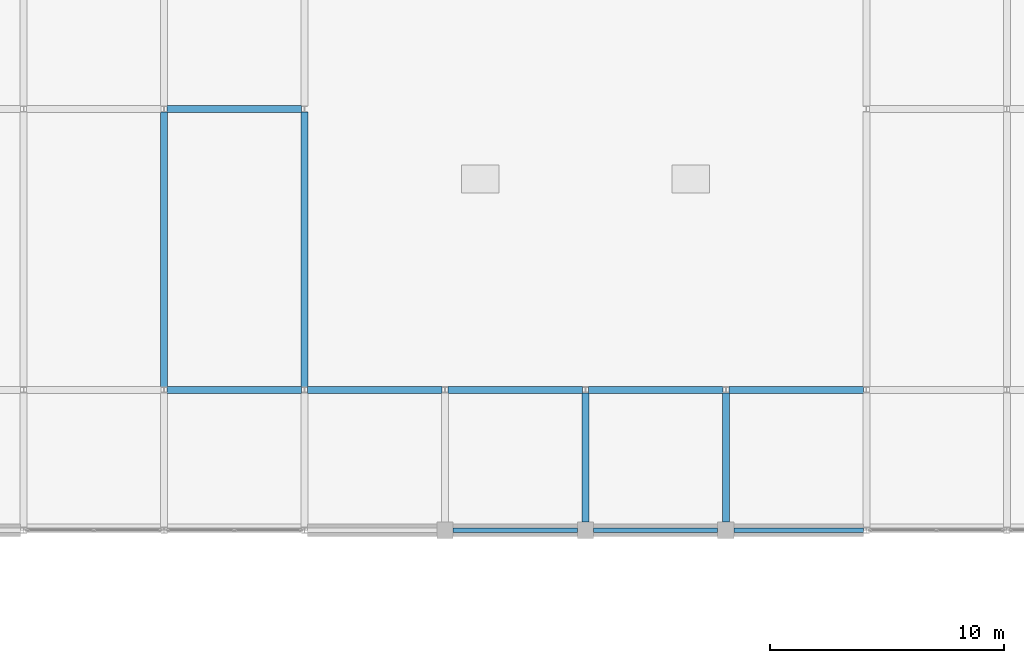
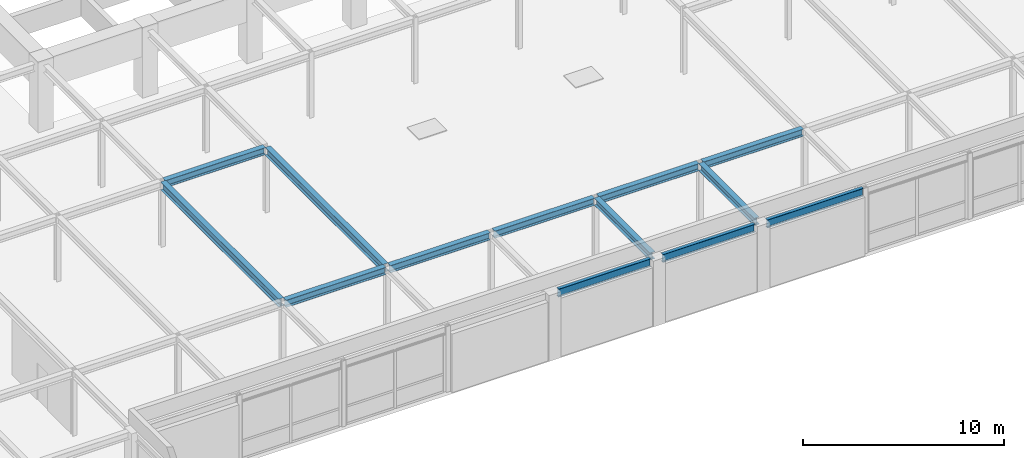
# One storey, part 56 of 111: 13 beams.
"""IFC4 building model written with IfcOpenShell, lengths in metres."""

import ifcopenshell
import ifcopenshell.guid

model = None  # the IFC model being written
_history = None  # IfcOwnerHistory: only IFC2X3 demands one
_inside = {}  # id of a spatial element -> (the spatial element, [elements in it])
_under = {}  # id of a project, library or spatial element -> (it, [spatial elements below it])
_declared = {}  # id of a project -> (the project, [libraries it declares])
_typed = {}  # id of a type object -> (the type object, [elements of that type])
_made_of = {}  # id of a material, layer set ... -> (it, [elements and type objects made of it])


def new_model(schema):
    """Start an empty IFC model of exactly this schema.

    Asked for "IFC4X3", IfcOpenShell would pick the latest addendum, in which some entities
    have other attributes; the version numbers below select the first issue.
    IFC2X3 requires an IfcOwnerHistory on every rooted entity: one is made here for all.
    """
    global model, _history
    if schema == "IFC4X3":
        model = ifcopenshell.file(schema_version=(4, 3, 0, 0))
    else:
        model = ifcopenshell.file(schema=schema)
    _inside.clear()
    _under.clear()
    _declared.clear()
    _typed.clear()
    _made_of.clear()
    _history = None
    if model.schema == "IFC2X3":
        org = make("IfcOrganization", Name="unknown")
        user = make(
            "IfcPersonAndOrganization",
            ThePerson=make("IfcPerson", FamilyName="unknown"),
            TheOrganization=org,
        )
        app = make(
            "IfcApplication",
            ApplicationDeveloper=org,
            Version="unknown",
            ApplicationFullName="unknown",
            ApplicationIdentifier="unknown",
        )
        _history = make(
            "IfcOwnerHistory",
            OwningUser=user,
            OwningApplication=app,
            ChangeAction="ADDED",
            CreationDate=0,
        )
    return model


def make(cls, **values):
    """One entity of the class cls with the attributes given. An attribute that is None is left unset."""
    return model.create_entity(
        cls, **{name: value for name, value in values.items() if value is not None}
    )


def rooted(cls, **values):
    """An entity with a GlobalId (a new one), such as an element, a storey or a relation."""
    return make(cls, GlobalId=ifcopenshell.guid.new(), OwnerHistory=_history, **values)


def si_unit(unit_type, name, prefix=None):
    """IfcSIUnit, for example si_unit("LENGTHUNIT", "METRE", prefix="MILLI")."""
    return make("IfcSIUnit", UnitType=unit_type, Prefix=prefix, Name=name)


def assignment(units):
    """IfcUnitAssignment: the units of a project."""
    return None if units is None else make("IfcUnitAssignment", Units=units)


def point(xyz):
    """IfcCartesianPoint."""
    return None if xyz is None else make("IfcCartesianPoint", Coordinates=xyz)


def direction(xyz):
    """IfcDirection."""
    return None if xyz is None else make("IfcDirection", DirectionRatios=xyz)


def frame(location, z_axis=None, x_axis=None):
    """IfcAxis2Placement3D, a coordinate frame: its origin and axes. An axis left out is left unset."""
    return make(
        "IfcAxis2Placement3D",
        Location=point(location),
        Axis=direction(z_axis),
        RefDirection=direction(x_axis),
    )


def frame_2d(location, x_axis=None):
    """IfcAxis2Placement2D, a coordinate frame in the plane: its origin and x axis."""
    return make(
        "IfcAxis2Placement2D", Location=point(location), RefDirection=direction(x_axis)
    )


def origin():
    """The frame at (0, 0, 0) with its axes left unset."""
    return frame((0.0, 0.0, 0.0))


def origin_2d():
    """The frame at (0, 0) in the plane with its x axis left unset."""
    return frame_2d((0.0, 0.0))


def place(relative_to, where):
    """IfcLocalPlacement: puts the frame where relative to a parent placement (None: the world)."""
    return make(
        "IfcLocalPlacement", PlacementRelTo=relative_to, RelativePlacement=where
    )


def context(
    kind, dimensions, precision=None, world=None, true_north=None, identifier=None
):
    """IfcGeometricRepresentationContext, for example the 3D "Model" context."""
    return make(
        "IfcGeometricRepresentationContext",
        ContextIdentifier=identifier,
        ContextType=kind,
        CoordinateSpaceDimension=dimensions,
        Precision=precision,
        WorldCoordinateSystem=world,
        TrueNorth=true_north,
    )


def subcontext(parent, identifier, kind, view, scale=None):
    """IfcGeometricRepresentationSubContext, for example "Body" below "Model"."""
    return make(
        "IfcGeometricRepresentationSubContext",
        ContextIdentifier=identifier,
        ContextType=kind,
        ParentContext=parent,
        TargetScale=scale,
        TargetView=view,
    )


def project(units=None, contexts=None):
    """IfcProject with its units and contexts."""
    return rooted(
        "IfcProject",
        Name="project",
        RepresentationContexts=contexts,
        UnitsInContext=assignment(units),
    )


def spatial(cls, under=None, at=None, **own):
    """A site, building, storey or space (cls), placed at a placement, below another one or the project."""
    s = rooted(cls, ObjectPlacement=at, **own)
    if under is not None:
        _under.setdefault(under.id(), (under, []))[1].append(s)
    return s


def profile(cls, at=None, kind="AREA", **sizes):
    """A parametric profile (cls). Its sizes go by their IFC names, for example OverallWidth=200.0."""
    return make(cls, ProfileType=kind, Position=at, **sizes)


def i_section(**sizes):
    """IfcIShapeProfileDef."""
    return profile("IfcIShapeProfileDef", **sizes)


def extrude(swept, where, along, depth):
    """IfcExtrudedAreaSolid: the profile swept, set in the frame where, extruded along a direction by depth."""
    return make(
        "IfcExtrudedAreaSolid",
        SweptArea=swept,
        Position=where,
        ExtrudedDirection=direction(along),
        Depth=depth,
    )


def shape(context_of_items, identifier, shape_type, items):
    """IfcShapeRepresentation: the items that make up one representation, for example the "Body"."""
    return make(
        "IfcShapeRepresentation",
        ContextOfItems=context_of_items,
        RepresentationIdentifier=identifier,
        RepresentationType=shape_type,
        Items=items,
    )


def material(Name=None, Category=None):
    """IfcMaterial."""
    return make("IfcMaterial", Name=Name, Category=Category)


def material_profile(
    of_material, cross_section, Name=None, Category=None, Priority=None
):
    """IfcMaterialProfile: a cross section and its material."""
    return make(
        "IfcMaterialProfile",
        Name=Name,
        Material=of_material,
        Profile=cross_section,
        Priority=Priority,
        Category=Category,
    )


def profile_set(profiles, Name=None, composite=None):
    """IfcMaterialProfileSet."""
    return make(
        "IfcMaterialProfileSet",
        Name=Name,
        MaterialProfiles=profiles,
        CompositeProfile=composite,
    )


def made_of(thing, what):
    """Note that an element or type object is made of a material, layer set ...; save() writes the relation."""
    if what is not None:
        _made_of.setdefault(what.id(), (what, []))[1].append(thing)
    return thing


def type_object(cls, material=None, **own):
    """A type object (cls), such as IfcWallType, which elements share."""
    return made_of(rooted(cls, **own), material)


def element(
    cls,
    number,
    at=None,
    inside=None,
    cuts=None,
    type_object=None,
    material=None,
    context=None,
    identifier="Body",
    shape_type=None,
    held_by="IfcProductDefinitionShape",
    body=None,
    shapes=None,
    **own,
):
    """One element of the class cls, such as IfcWall. Its Tag is "e" and its number.

    at: its placement. inside: the storey or other place that contains it. cuts: it is an
    opening in that element (IfcRelVoidsElement). A single representation is given by context,
    identifier, shape_type and body (its items); several are given by shapes. held_by: the class
    of the entity that holds the representations. save() writes the other relations.
    """
    e = rooted(cls, Tag="e%d" % number, ObjectPlacement=at, **own)
    if body is not None:
        shapes = [shape(context, identifier, shape_type, body)]
    if shapes is not None:
        e.Representation = make(held_by, Representations=shapes)
    if inside is not None:
        _inside.setdefault(inside.id(), (inside, []))[1].append(e)
    if cuts is not None:
        rooted(
            "IfcRelVoidsElement", RelatingBuildingElement=cuts, RelatedOpeningElement=e
        )
    if type_object is not None:
        _typed.setdefault(type_object.id(), (type_object, []))[1].append(e)
    return made_of(e, material)


def aggregate(whole, parts):
    """IfcRelAggregates: a whole, such as a stair, and the parts it consists of."""
    return rooted("IfcRelAggregates", RelatingObject=whole, RelatedObjects=parts)


def save(model, path):
    """Write the relations noted so far, then the file.

    IfcRelAggregates (storeys below a building ...), IfcRelContainedInSpatialStructure (elements
    in a storey), IfcRelDefinesByType, IfcRelAssociatesMaterial and IfcRelDeclares: one each for
    every whole, place, type object, material and project.
    """
    for whole, parts in _under.values():
        aggregate(whole, parts)
    for where, things in _inside.values():
        rooted(
            "IfcRelContainedInSpatialStructure",
            RelatedElements=things,
            RelatingStructure=where,
        )
    for kind, things in _typed.values():
        rooted("IfcRelDefinesByType", RelatedObjects=things, RelatingType=kind)
    for what, things in _made_of.values():
        rooted("IfcRelAssociatesMaterial", RelatedObjects=things, RelatingMaterial=what)
    for by, libraries in _declared.values():
        rooted("IfcRelDeclares", RelatingContext=by, RelatedDefinitions=libraries)
    model.write(path)


model = new_model("IFC4")

# Units and contexts
model_context = context("Model", 3, precision=1e-05, world=origin(), true_north=direction((0.0, 1.0)))
body_context = subcontext(model_context, "Body", "Model", "MODEL_VIEW")
ifc_project = project(units=[si_unit("LENGTHUNIT", "METRE"), si_unit("AREAUNIT", "SQUARE_METRE"), si_unit("VOLUMEUNIT", "CUBIC_METRE"), si_unit("PLANEANGLEUNIT", "RADIAN"), si_unit("MASSUNIT", "GRAM", prefix="KILO")], contexts=[model_context])

# Site, building, storey
site_placement = place(None, origin())
site = spatial("IfcSite", under=ifc_project, at=site_placement, CompositionType="ELEMENT")
building_placement = place(site_placement, origin())
building = spatial("IfcBuilding", under=site, at=building_placement, Name="Zlatovratsky Civic Hall", CompositionType="ELEMENT")
storey_placement = place(building_placement, frame((0.0, 0.0, 16.5)))
storey = spatial("IfcBuildingStorey", under=building, at=storey_placement, Name="L04", CompositionType="ELEMENT", Elevation=16.5)

# Beams
ifc_material = material(Name="Steel S355", Category="steel")
ifc_material_profile_1 = material_profile(ifc_material, i_section(OverallWidth=0.300048828125, OverallDepth=0.487060546875, WebThickness=0.014404296875, FlangeThickness=0.017578125, FilletRadius=0.02392578125, at=origin_2d()), Name="50Sh2")
ifc_profile_set_1 = profile_set([ifc_material_profile_1], Name="Steel S355")
beam_type_1 = type_object("IfcBeamType", Name="Beam_ArchiveGirder_50Sh2", PredefinedType="BEAM", material=ifc_profile_set_1)
for number, where, z_axis, x_axis, name in (
    (1, (66.0, 18.125, 3.756591796875), (0.0, 1.0, 0.0), (-1.0, 0.0, 0.0), "BM-3636"),
    (2, (72.0, 18.125, 3.756591796875), (0.0, 1.0, 0.0), (-1.0, 0.0, 0.0), "BM-3647"),
):
    element("IfcBeam", number, at=place(storey_placement, frame(where, z_axis=z_axis, x_axis=x_axis)), inside=storey, type_object=beam_type_1, Name=name, PredefinedType="BEAM", context=body_context, shape_type="SweptSolid", body=[
        extrude(i_section(OverallWidth=0.300048828125, OverallDepth=0.487060546875, WebThickness=0.014404296875, FlangeThickness=0.017578125, FilletRadius=0.02392578125, at=origin_2d()), origin(), (0.0, 0.0, 1.0), 11.75),
    ])
ifc_material_profile_2 = material_profile(ifc_material, i_section(OverallWidth=0.198974609375, OverallDepth=0.491943359375, WebThickness=0.0087890625, FlangeThickness=0.011962890625, FilletRadius=0.01611328125, at=origin_2d()), Name="50B1")
ifc_profile_set_2 = profile_set([ifc_material_profile_2], Name="Steel S355")
beam_type_2 = type_object("IfcBeamType", Name="Beam_Spandrel_50B1", PredefinedType="SPANDREL", material=ifc_profile_set_2)
for number, where, z_axis, x_axis, name in (
    (3, (78.35009765625, 12.0, 3.75390625), (1.0, 0.0, 0.0), (0.0, 1.0, 0.0), "BM-3222"),
    (4, (84.35009765625, 12.0, 3.75390625), (1.0, 0.0, 0.0), (0.0, 1.0, 0.0), "BM-3223"),
):
    element("IfcBeam", number, at=place(storey_placement, frame(where, z_axis=z_axis, x_axis=x_axis)), inside=storey, type_object=beam_type_2, Name=name, PredefinedType="SPANDREL", context=body_context, shape_type="SweptSolid", body=[
        extrude(i_section(OverallWidth=0.198974609375, OverallDepth=0.491943359375, WebThickness=0.0087890625, FlangeThickness=0.011962890625, FilletRadius=0.01611328125, at=origin_2d()), origin(), (0.0, 0.0, 1.0), 5.2998046875),
    ])
beam_placement = place(storey_placement, frame((90.35009765625, 12.0, 3.75390625), z_axis=(1.0, 0.0, 0.0), x_axis=(0.0, 1.0, 0.0)))
element("IfcBeam", 5, at=beam_placement, inside=storey, type_object=beam_type_2, Name="BM-3224", PredefinedType="SPANDREL", context=body_context, shape_type="SweptSolid", body=[
    extrude(i_section(OverallWidth=0.198974609375, OverallDepth=0.491943359375, WebThickness=0.0087890625, FlangeThickness=0.011962890625, FilletRadius=0.01611328125, at=origin_2d()), origin(), (0.0, 0.0, 1.0), 5.52490234375),
])
ifc_material_profile_3 = material_profile(ifc_material, i_section(OverallWidth=0.300048828125, OverallDepth=0.43994140625, WebThickness=0.010986328125, FlangeThickness=0.01806640625, FilletRadius=0.02197265625, at=origin_2d()), Name="45Sh1")
ifc_profile_set_3 = profile_set([ifc_material_profile_3], Name="Steel S355")
beam_type_3 = type_object("IfcBeamType", Name="Beam_TowerLow_45Sh1", PredefinedType="BEAM", material=ifc_profile_set_3)
for number, where, z_axis, x_axis, name in (
    (6, (66.125, 18.0, 3.780029296875), (1.0, 0.0, 0.0), (0.0, 1.0, 0.0), "BM-3242"),
    (7, (72.125, 18.0, 3.780029296875), (1.0, 0.0, 0.0), (0.0, 1.0, 0.0), "BM-3243"),
    (8, (78.125, 18.0, 3.780029296875), (1.0, 0.0, 0.0), (0.0, 1.0, 0.0), "BM-3244"),
    (9, (84.125, 18.0, 3.780029296875), (1.0, 0.0, 0.0), (0.0, 1.0, 0.0), "BM-3245"),
    (10, (90.125, 18.0, 3.780029296875), (1.0, 0.0, 0.0), (0.0, 1.0, 0.0), "BM-3246"),
    (11, (66.125, 30.0, 3.780029296875), (1.0, 0.0, 0.0), (0.0, 1.0, 0.0), "BM-3264"),
):
    element("IfcBeam", number, at=place(storey_placement, frame(where, z_axis=z_axis, x_axis=x_axis)), inside=storey, type_object=beam_type_3, Name=name, PredefinedType="BEAM", context=body_context, shape_type="SweptSolid", body=[
        extrude(i_section(OverallWidth=0.300048828125, OverallDepth=0.43994140625, WebThickness=0.010986328125, FlangeThickness=0.01806640625, FilletRadius=0.02197265625, at=origin_2d()), origin(), (0.0, 0.0, 1.0), 5.75),
    ])
for number, where, z_axis, x_axis, name in (
    (12, (84.0, 12.35009765625, 3.780029296875), (0.0, 1.0, 0.0), (-1.0, 0.0, 0.0), "BM-3666"),
    (13, (90.0, 12.35009765625, 3.780029296875), (0.0, 1.0, 0.0), (-1.0, 0.0, 0.0), "BM-3675"),
):
    element("IfcBeam", number, at=place(storey_placement, frame(where, z_axis=z_axis, x_axis=x_axis)), inside=storey, type_object=beam_type_3, Name=name, PredefinedType="BEAM", context=body_context, shape_type="SweptSolid", body=[
        extrude(i_section(OverallWidth=0.300048828125, OverallDepth=0.43994140625, WebThickness=0.010986328125, FlangeThickness=0.01806640625, FilletRadius=0.02197265625, at=origin_2d()), origin(), (0.0, 0.0, 1.0), 5.52490234375),
    ])

save(model, "model.ifc")
